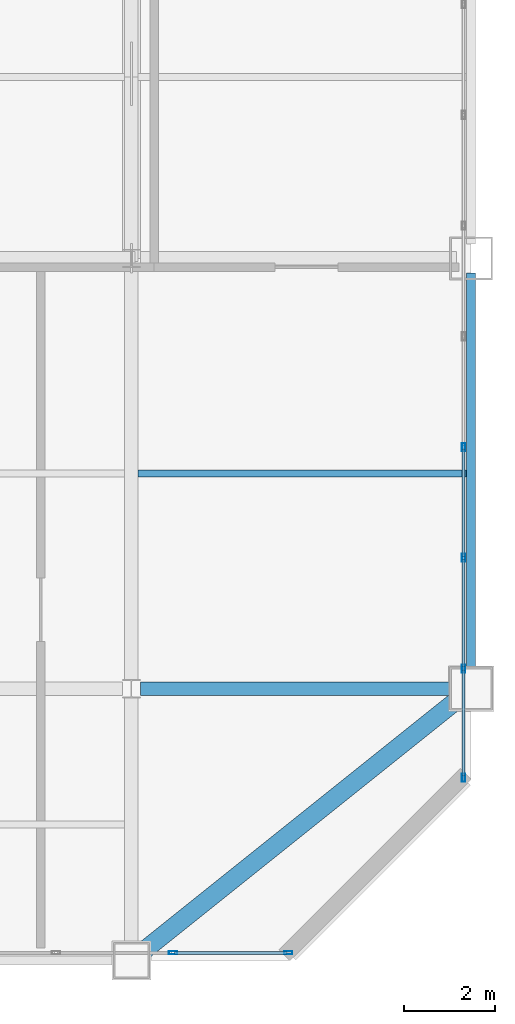
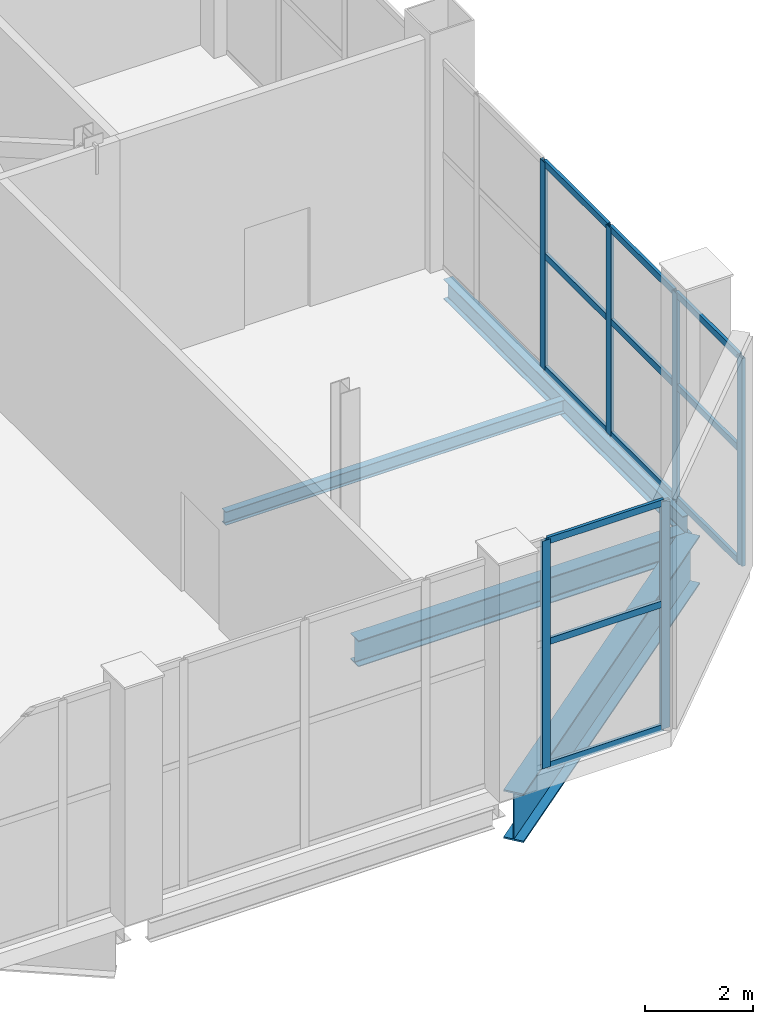
# One storey, part 11 of 23: 18 members, 4 beams, 2 elements without a shape of their own.
"""IFC4 building model written with IfcOpenShell, lengths in metres."""

import ifcopenshell
import ifcopenshell.guid

model = None  # the IFC model being written
_history = None  # IfcOwnerHistory: only IFC2X3 demands one
_inside = {}  # id of a spatial element -> (the spatial element, [elements in it])
_under = {}  # id of a project, library or spatial element -> (it, [spatial elements below it])
_declared = {}  # id of a project -> (the project, [libraries it declares])
_typed = {}  # id of a type object -> (the type object, [elements of that type])
_made_of = {}  # id of a material, layer set ... -> (it, [elements and type objects made of it])


def new_model(schema):
    """Start an empty IFC model of exactly this schema.

    Asked for "IFC4X3", IfcOpenShell would pick the latest addendum, in which some entities
    have other attributes; the version numbers below select the first issue.
    IFC2X3 requires an IfcOwnerHistory on every rooted entity: one is made here for all.
    """
    global model, _history
    if schema == "IFC4X3":
        model = ifcopenshell.file(schema_version=(4, 3, 0, 0))
    else:
        model = ifcopenshell.file(schema=schema)
    _inside.clear()
    _under.clear()
    _declared.clear()
    _typed.clear()
    _made_of.clear()
    _history = None
    if model.schema == "IFC2X3":
        org = make("IfcOrganization", Name="unknown")
        user = make(
            "IfcPersonAndOrganization",
            ThePerson=make("IfcPerson", FamilyName="unknown"),
            TheOrganization=org,
        )
        app = make(
            "IfcApplication",
            ApplicationDeveloper=org,
            Version="unknown",
            ApplicationFullName="unknown",
            ApplicationIdentifier="unknown",
        )
        _history = make(
            "IfcOwnerHistory",
            OwningUser=user,
            OwningApplication=app,
            ChangeAction="ADDED",
            CreationDate=0,
        )
    return model


def make(cls, **values):
    """One entity of the class cls with the attributes given. An attribute that is None is left unset."""
    return model.create_entity(
        cls, **{name: value for name, value in values.items() if value is not None}
    )


def rooted(cls, **values):
    """An entity with a GlobalId (a new one), such as an element, a storey or a relation."""
    return make(cls, GlobalId=ifcopenshell.guid.new(), OwnerHistory=_history, **values)


def si_unit(unit_type, name, prefix=None):
    """IfcSIUnit, for example si_unit("LENGTHUNIT", "METRE", prefix="MILLI")."""
    return make("IfcSIUnit", UnitType=unit_type, Prefix=prefix, Name=name)


def assignment(units):
    """IfcUnitAssignment: the units of a project."""
    return None if units is None else make("IfcUnitAssignment", Units=units)


def point(xyz):
    """IfcCartesianPoint."""
    return None if xyz is None else make("IfcCartesianPoint", Coordinates=xyz)


def direction(xyz):
    """IfcDirection."""
    return None if xyz is None else make("IfcDirection", DirectionRatios=xyz)


def frame(location, z_axis=None, x_axis=None):
    """IfcAxis2Placement3D, a coordinate frame: its origin and axes. An axis left out is left unset."""
    return make(
        "IfcAxis2Placement3D",
        Location=point(location),
        Axis=direction(z_axis),
        RefDirection=direction(x_axis),
    )


def frame_2d(location, x_axis=None):
    """IfcAxis2Placement2D, a coordinate frame in the plane: its origin and x axis."""
    return make(
        "IfcAxis2Placement2D", Location=point(location), RefDirection=direction(x_axis)
    )


def origin():
    """The frame at (0, 0, 0) with its axes left unset."""
    return frame((0.0, 0.0, 0.0))


def origin_2d():
    """The frame at (0, 0) in the plane with its x axis left unset."""
    return frame_2d((0.0, 0.0))


def place(relative_to, where):
    """IfcLocalPlacement: puts the frame where relative to a parent placement (None: the world)."""
    return make(
        "IfcLocalPlacement", PlacementRelTo=relative_to, RelativePlacement=where
    )


def context(
    kind, dimensions, precision=None, world=None, true_north=None, identifier=None
):
    """IfcGeometricRepresentationContext, for example the 3D "Model" context."""
    return make(
        "IfcGeometricRepresentationContext",
        ContextIdentifier=identifier,
        ContextType=kind,
        CoordinateSpaceDimension=dimensions,
        Precision=precision,
        WorldCoordinateSystem=world,
        TrueNorth=true_north,
    )


def subcontext(parent, identifier, kind, view, scale=None):
    """IfcGeometricRepresentationSubContext, for example "Body" below "Model"."""
    return make(
        "IfcGeometricRepresentationSubContext",
        ContextIdentifier=identifier,
        ContextType=kind,
        ParentContext=parent,
        TargetScale=scale,
        TargetView=view,
    )


def project(units=None, contexts=None):
    """IfcProject with its units and contexts."""
    return rooted(
        "IfcProject",
        Name="project",
        RepresentationContexts=contexts,
        UnitsInContext=assignment(units),
    )


def spatial(cls, under=None, at=None, **own):
    """A site, building, storey or space (cls), placed at a placement, below another one or the project."""
    s = rooted(cls, ObjectPlacement=at, **own)
    if under is not None:
        _under.setdefault(under.id(), (under, []))[1].append(s)
    return s


def profile(cls, at=None, kind="AREA", **sizes):
    """A parametric profile (cls). Its sizes go by their IFC names, for example OverallWidth=200.0."""
    return make(cls, ProfileType=kind, Position=at, **sizes)


def hollow_rectangle(**sizes):
    """IfcRectangleHollowProfileDef."""
    return profile("IfcRectangleHollowProfileDef", **sizes)


def i_section(**sizes):
    """IfcIShapeProfileDef."""
    return profile("IfcIShapeProfileDef", **sizes)


def extrude(swept, where, along, depth):
    """IfcExtrudedAreaSolid: the profile swept, set in the frame where, extruded along a direction by depth."""
    return make(
        "IfcExtrudedAreaSolid",
        SweptArea=swept,
        Position=where,
        ExtrudedDirection=direction(along),
        Depth=depth,
    )


def shape(context_of_items, identifier, shape_type, items):
    """IfcShapeRepresentation: the items that make up one representation, for example the "Body"."""
    return make(
        "IfcShapeRepresentation",
        ContextOfItems=context_of_items,
        RepresentationIdentifier=identifier,
        RepresentationType=shape_type,
        Items=items,
    )


def material(Name=None, Category=None):
    """IfcMaterial."""
    return make("IfcMaterial", Name=Name, Category=Category)


def layer(
    of_material, thickness, ventilated=None, Name=None, Category=None, Priority=None
):
    """IfcMaterialLayer: one layer of a wall or slab, of a material (None: an air gap)."""
    return make(
        "IfcMaterialLayer",
        Material=of_material,
        LayerThickness=thickness,
        IsVentilated=ventilated,
        Name=Name,
        Category=Category,
        Priority=Priority,
    )


def layer_set(layers, Name=None):
    """IfcMaterialLayerSet."""
    return make("IfcMaterialLayerSet", MaterialLayers=layers, LayerSetName=Name)


def material_profile(
    of_material, cross_section, Name=None, Category=None, Priority=None
):
    """IfcMaterialProfile: a cross section and its material."""
    return make(
        "IfcMaterialProfile",
        Name=Name,
        Material=of_material,
        Profile=cross_section,
        Priority=Priority,
        Category=Category,
    )


def profile_set(profiles, Name=None, composite=None):
    """IfcMaterialProfileSet."""
    return make(
        "IfcMaterialProfileSet",
        Name=Name,
        MaterialProfiles=profiles,
        CompositeProfile=composite,
    )


def made_of(thing, what):
    """Note that an element or type object is made of a material, layer set ...; save() writes the relation."""
    if what is not None:
        _made_of.setdefault(what.id(), (what, []))[1].append(thing)
    return thing


def type_object(cls, material=None, **own):
    """A type object (cls), such as IfcWallType, which elements share."""
    return made_of(rooted(cls, **own), material)


def element(
    cls,
    number,
    at=None,
    inside=None,
    cuts=None,
    type_object=None,
    material=None,
    context=None,
    identifier="Body",
    shape_type=None,
    held_by="IfcProductDefinitionShape",
    body=None,
    shapes=None,
    **own,
):
    """One element of the class cls, such as IfcWall. Its Tag is "e" and its number.

    at: its placement. inside: the storey or other place that contains it. cuts: it is an
    opening in that element (IfcRelVoidsElement). A single representation is given by context,
    identifier, shape_type and body (its items); several are given by shapes. held_by: the class
    of the entity that holds the representations. save() writes the other relations.
    """
    e = rooted(cls, Tag="e%d" % number, ObjectPlacement=at, **own)
    if body is not None:
        shapes = [shape(context, identifier, shape_type, body)]
    if shapes is not None:
        e.Representation = make(held_by, Representations=shapes)
    if inside is not None:
        _inside.setdefault(inside.id(), (inside, []))[1].append(e)
    if cuts is not None:
        rooted(
            "IfcRelVoidsElement", RelatingBuildingElement=cuts, RelatedOpeningElement=e
        )
    if type_object is not None:
        _typed.setdefault(type_object.id(), (type_object, []))[1].append(e)
    return made_of(e, material)


def aggregate(whole, parts):
    """IfcRelAggregates: a whole, such as a stair, and the parts it consists of."""
    return rooted("IfcRelAggregates", RelatingObject=whole, RelatedObjects=parts)


def save(model, path):
    """Write the relations noted so far, then the file.

    IfcRelAggregates (storeys below a building ...), IfcRelContainedInSpatialStructure (elements
    in a storey), IfcRelDefinesByType, IfcRelAssociatesMaterial and IfcRelDeclares: one each for
    every whole, place, type object, material and project.
    """
    for whole, parts in _under.values():
        aggregate(whole, parts)
    for where, things in _inside.values():
        rooted(
            "IfcRelContainedInSpatialStructure",
            RelatedElements=things,
            RelatingStructure=where,
        )
    for kind, things in _typed.values():
        rooted("IfcRelDefinesByType", RelatedObjects=things, RelatingType=kind)
    for what, things in _made_of.values():
        rooted("IfcRelAssociatesMaterial", RelatedObjects=things, RelatingMaterial=what)
    for by, libraries in _declared.values():
        rooted("IfcRelDeclares", RelatingContext=by, RelatedDefinitions=libraries)
    model.write(path)


model = new_model("IFC4")

# Units and contexts
model_context = context("Model", 3, precision=1e-05, world=origin(), true_north=direction((0.0, 1.0)))
body_context = subcontext(model_context, "Body", "Model", "MODEL_VIEW")
ifc_project = project(units=[si_unit("LENGTHUNIT", "METRE"), si_unit("AREAUNIT", "SQUARE_METRE"), si_unit("VOLUMEUNIT", "CUBIC_METRE"), si_unit("PLANEANGLEUNIT", "RADIAN"), si_unit("MASSUNIT", "GRAM", prefix="KILO")], contexts=[model_context])

# Site, building, storey
site_placement = place(None, origin())
site = spatial("IfcSite", under=ifc_project, at=site_placement, CompositionType="ELEMENT")
building_placement = place(site_placement, origin())
building = spatial("IfcBuilding", under=site, at=building_placement, Name="Qianrong Seaharbour Tower", CompositionType="ELEMENT")
storey_placement = place(building_placement, frame((0.0, 0.0, 281.800048828125)))
storey = spatial("IfcBuildingStorey", under=building, at=storey_placement, Name="L68", CompositionType="ELEMENT", Elevation=281.800048828125)

# Beams
ifc_material_1 = material(Name="Structural steel SN490B", Category="steel")
ifc_material_profile_1 = material_profile(ifc_material_1, i_section(OverallWidth=0.300048828125, OverallDepth=0.587890625, WebThickness=0.011962890625, FlangeThickness=0.02001953125, FilletRadius=0.02392578125, at=origin_2d()), Name="H588x300x12x20")
ifc_profile_set_1 = profile_set([ifc_material_profile_1], Name="Structural steel SN490B")
beam_type_1 = type_object("IfcBeamType", Name="BM-G-588", PredefinedType="BEAM", material=ifc_profile_set_1)
beam_1_placement = place(storey_placement, frame((56.699951171875, 18.5, -0.64404296875), z_axis=(1.0, 0.0, 0.0), x_axis=(0.0, 1.0, 0.0)))
element("IfcBeam", 1, at=beam_1_placement, inside=storey, type_object=beam_type_1, Name="L68 Primary Girder GD G8-G9", PredefinedType="BEAM", context=body_context, shape_type="SweptSolid", body=[
    extrude(i_section(OverallWidth=0.300048828125, OverallDepth=0.587890625, WebThickness=0.011962890625, FlangeThickness=0.02001953125, FilletRadius=0.02392578125, at=origin_2d()), origin(), (0.0, 0.0, 1.0), 6.97998046875),
])
ifc_material_2 = material(Name="Structural steel SN400B", Category="steel")
ifc_material_profile_2 = material_profile(ifc_material_2, i_section(OverallWidth=0.14990234375, OverallDepth=0.300048828125, WebThickness=0.006591796875, FlangeThickness=0.009033203125, FilletRadius=0.012939453125, at=origin_2d()), Name="H300x150x6.5x9")
ifc_profile_set_2 = profile_set([ifc_material_profile_2], Name="Structural steel SN400B")
beam_type_2 = type_object("IfcBeamType", Name="BM-J-300", PredefinedType="JOIST", material=ifc_profile_set_2)
beam_2_placement = place(storey_placement, frame((56.64990234375, 23.25, -0.5), z_axis=(1.0, 0.0, 0.0), x_axis=(0.0, 1.0, 0.0)))
element("IfcBeam", 2, at=beam_2_placement, inside=storey, type_object=beam_type_2, Name="L68 Composite Floor Joist G8-G9/GD-GE", PredefinedType="JOIST", context=body_context, shape_type="SweptSolid", body=[
    extrude(i_section(OverallWidth=0.14990234375, OverallDepth=0.300048828125, WebThickness=0.006591796875, FlangeThickness=0.009033203125, FilletRadius=0.012939453125, at=origin_2d()), origin(), (0.0, 0.0, 1.0), 7.25),
])
ifc_material_profile_3 = material_profile(ifc_material_2, i_section(OverallWidth=0.199951171875, OverallDepth=0.449951171875, WebThickness=0.009033203125, FlangeThickness=0.013916015625, FilletRadius=0.01806640625, at=origin_2d()), Name="H450x200x9x14")
ifc_profile_set_3 = profile_set([ifc_material_profile_3], Name="Structural steel SN400B")
beam_type_3 = type_object("IfcBeamType", Name="BM-SP-450", PredefinedType="SPANDREL", material=ifc_profile_set_3)
beam_3_placement = place(storey_placement, frame((64.0, 18.820068359375, -0.574951171875), z_axis=(0.0, 1.0, 0.0), x_axis=(-1.0, 0.0, 0.0)))
element("IfcBeam", 3, at=beam_3_placement, inside=storey, type_object=beam_type_3, Name="L68 Spandrel Girder G9 GD-GE", PredefinedType="SPANDREL", context=body_context, shape_type="SweptSolid", body=[
    extrude(i_section(OverallWidth=0.199951171875, OverallDepth=0.449951171875, WebThickness=0.009033203125, FlangeThickness=0.013916015625, FilletRadius=0.01806640625, at=origin_2d()), origin(), (0.0, 0.0, 1.0), 8.85986328125),
])
ifc_material_profile_4 = material_profile(ifc_material_1, i_section(OverallWidth=0.39990234375, OverallDepth=1.10009765625, WebThickness=0.02001953125, FlangeThickness=0.035888671875, at=origin_2d()), Name="BH1100x400x20x36")
ifc_profile_set_4 = profile_set([ifc_material_profile_4], Name="Structural steel SN490B")
beam_type_4 = type_object("IfcBeamType", Name="BM-TG-1100", PredefinedType="BEAM", material=ifc_profile_set_4)
beam_4_placement = place(storey_placement, frame((56.75, 12.699951171875, -0.900146484375), z_axis=(0.780863495394, 0.624701690058, 0.0), x_axis=(-0.624701690058, 0.780863495394, 0.0)))
element("IfcBeam", 4, at=beam_4_placement, inside=storey, type_object=beam_type_4, Name="L68 Chamfer Corner Spandrel Girder G9/GC", PredefinedType="BEAM", context=body_context, shape_type="SweptSolid", body=[
    extrude(i_section(OverallWidth=0.39990234375, OverallDepth=1.10009765625, WebThickness=0.02001953125, FlangeThickness=0.035888671875, at=origin_2d()), origin(), (0.0, 0.0, 1.0), 8.96435546875),
])

# Curtain wall, members
ifc_material_3 = material(Name="Anodised aluminium 6063-T6 and laminated low-e glass", Category="aluminium")
ifc_layer = layer(ifc_material_3, 0.18505859375)
ifc_layer_set = layer_set([ifc_layer], Name="Anodised aluminium 6063-T6 and laminated low-e glass")
curtain_wall_type = type_object("IfcCurtainWallType", Name="CW-SYS-4", PredefinedType="NOTDEFINED", material=ifc_layer_set)
curtain_wall_1_placement = place(storey_placement, origin())
curtain_wall_1 = element("IfcCurtainWall", 5, at=curtain_wall_1_placement, inside=storey, type_object=curtain_wall_type, Name="L68 Refuge Acoustic Louvre Curtain Wall EAST_WING", PredefinedType="NOTDEFINED")
ifc_material_4 = material(Name="Extruded aluminium 6063-T6", Category="aluminium")
ifc_material_profile_5 = material_profile(ifc_material_4, hollow_rectangle(XDim=0.070068359375, YDim=0.179931640625, WallThickness=0.00390625, at=origin_2d()), Name="ALU-MUL-180x70x4")
ifc_profile_set_5 = profile_set([ifc_material_profile_5], Name="Extruded aluminium 6063-T6")
member_type_1 = type_object("IfcMemberType", Name="CW-MUL-180", PredefinedType="MULLION", material=ifc_profile_set_5)
member_1_placement = place(storey_placement, frame((63.830078125, 23.831298828125, 0.0), z_axis=(0.0, 0.0, 1.0), x_axis=(1.0, 0.0, 0.0)))
member_1 = element("IfcMember", 6, at=member_1_placement, type_object=member_type_1, Name="CW-4 mullion 6", PredefinedType="MULLION", context=body_context, shape_type="SweptSolid", body=[
    extrude(hollow_rectangle(XDim=0.070068359375, YDim=0.179931640625, WallThickness=0.00390625, at=origin_2d()), origin(), (0.0, 0.0, 1.0), 4.695068359375),
])
member_2_placement = place(storey_placement, frame((63.830078125, 21.387451171875, 0.0), z_axis=(0.0, 0.0, 1.0), x_axis=(1.0, 0.0, 0.0)))
member_2 = element("IfcMember", 7, at=member_2_placement, type_object=member_type_1, Name="CW-4 mullion 7", PredefinedType="MULLION", context=body_context, shape_type="SweptSolid", body=[
    extrude(hollow_rectangle(XDim=0.070068359375, YDim=0.179931640625, WallThickness=0.00390625, at=origin_2d()), origin(), (0.0, 0.0, 1.0), 4.695068359375),
])
member_3_placement = place(storey_placement, frame((63.830078125, 18.94384765625, 0.0), z_axis=(0.0, 0.0, 1.0), x_axis=(1.0, 0.0, 0.0)))
member_3 = element("IfcMember", 8, at=member_3_placement, type_object=member_type_1, Name="CW-4 mullion 8", PredefinedType="MULLION", context=body_context, shape_type="SweptSolid", body=[
    extrude(hollow_rectangle(XDim=0.070068359375, YDim=0.179931640625, WallThickness=0.00390625, at=origin_2d()), origin(), (0.0, 0.0, 1.0), 4.695068359375),
])
member_4_placement = place(storey_placement, frame((63.830078125, 16.534912109375, 0.0), z_axis=(0.0, 0.0, 1.0), x_axis=(1.0, 0.0, 0.0)))
member_4 = element("IfcMember", 9, at=member_4_placement, type_object=member_type_1, Name="CW-4 mullion 9", PredefinedType="MULLION", context=body_context, shape_type="SweptSolid", body=[
    extrude(hollow_rectangle(XDim=0.070068359375, YDim=0.179931640625, WallThickness=0.00390625, at=origin_2d()), origin(), (0.0, 0.0, 1.0), 4.695068359375),
])

curtain_wall_2_placement = place(storey_placement, origin())
curtain_wall_2 = element("IfcCurtainWall", 10, at=curtain_wall_2_placement, inside=storey, type_object=curtain_wall_type, Name="L68 Refuge Acoustic Louvre Curtain Wall SOUTH_TIP", PredefinedType="NOTDEFINED")
member_5_placement = place(storey_placement, frame((59.965087890625, 12.669921875, 0.0), z_axis=(0.0, 0.0, 1.0), x_axis=(0.0, -1.0, 0.0)))
member_5 = element("IfcMember", 11, at=member_5_placement, type_object=member_type_1, Name="CW-4 mullion 1", PredefinedType="MULLION", context=body_context, shape_type="SweptSolid", body=[
    extrude(hollow_rectangle(XDim=0.070068359375, YDim=0.179931640625, WallThickness=0.00390625, at=origin_2d()), origin(), (0.0, 0.0, 1.0), 5.14501953125),
])
member_6_placement = place(storey_placement, frame((57.416748046875, 12.669921875, 0.0), z_axis=(0.0, 0.0, 1.0), x_axis=(0.0, -1.0, 0.0)))
member_6 = element("IfcMember", 12, at=member_6_placement, type_object=member_type_1, Name="CW-4 mullion 2", PredefinedType="MULLION", context=body_context, shape_type="SweptSolid", body=[
    extrude(hollow_rectangle(XDim=0.070068359375, YDim=0.179931640625, WallThickness=0.00390625, at=origin_2d()), origin(), (0.0, 0.0, 1.0), 5.14501953125),
])

# Member
ifc_material_profile_6 = material_profile(ifc_material_4, hollow_rectangle(XDim=0.06494140625, YDim=0.14990234375, WallThickness=0.00390625, at=origin_2d()), Name="ALU-TRN-150x65x4")
ifc_profile_set_6 = profile_set([ifc_material_profile_6], Name="Extruded aluminium 6063-T6")
member_type_2 = type_object("IfcMemberType", Name="CW-TRN-150", PredefinedType="USERDEFINED", material=ifc_profile_set_6)
member_7_placement = place(storey_placement, frame((63.830078125, 23.796142578125, 0.032470703125), z_axis=(0.0, -1.0, 0.0), x_axis=(1.0, 0.0, 0.0)))
member_7 = element("IfcMember", 13, at=member_7_placement, type_object=member_type_2, Name="CW-4 transom 6.1", ObjectType="TRANSOM", PredefinedType="USERDEFINED", context=body_context, shape_type="SweptSolid", body=[
    extrude(hollow_rectangle(XDim=0.06494140625, YDim=0.14990234375, WallThickness=0.00390625, at=origin_2d()), origin(), (0.0, 0.0, 1.0), 2.37353515625),
])

member_8_placement = place(storey_placement, frame((63.830078125, 23.796142578125, 2.58203125), z_axis=(0.0, -1.0, 0.0), x_axis=(1.0, 0.0, 0.0)))
member_8 = element("IfcMember", 14, at=member_8_placement, type_object=member_type_2, Name="CW-4 transom 6.2", ObjectType="TRANSOM", PredefinedType="USERDEFINED", context=body_context, shape_type="SweptSolid", body=[
    extrude(hollow_rectangle(XDim=0.06494140625, YDim=0.14990234375, WallThickness=0.00390625, at=origin_2d()), origin(), (0.0, 0.0, 1.0), 2.37353515625),
])

member_9_placement = place(storey_placement, frame((63.830078125, 23.796142578125, 4.662353515625), z_axis=(0.0, -1.0, 0.0), x_axis=(1.0, 0.0, 0.0)))
member_9 = element("IfcMember", 15, at=member_9_placement, type_object=member_type_2, Name="CW-4 transom 6.3", ObjectType="TRANSOM", PredefinedType="USERDEFINED", context=body_context, shape_type="SweptSolid", body=[
    extrude(hollow_rectangle(XDim=0.06494140625, YDim=0.14990234375, WallThickness=0.00390625, at=origin_2d()), origin(), (0.0, 0.0, 1.0), 2.37353515625),
])

member_10_placement = place(storey_placement, frame((63.830078125, 21.3525390625, 0.032470703125), z_axis=(0.0, -1.0, 0.0), x_axis=(1.0, 0.0, 0.0)))
member_10 = element("IfcMember", 16, at=member_10_placement, type_object=member_type_2, Name="CW-4 transom 7.1", ObjectType="TRANSOM", PredefinedType="USERDEFINED", context=body_context, shape_type="SweptSolid", body=[
    extrude(hollow_rectangle(XDim=0.06494140625, YDim=0.14990234375, WallThickness=0.00390625, at=origin_2d()), origin(), (0.0, 0.0, 1.0), 2.373779296875),
])

member_11_placement = place(storey_placement, frame((63.830078125, 21.3525390625, 2.58203125), z_axis=(0.0, -1.0, 0.0), x_axis=(1.0, 0.0, 0.0)))
member_11 = element("IfcMember", 17, at=member_11_placement, type_object=member_type_2, Name="CW-4 transom 7.2", ObjectType="TRANSOM", PredefinedType="USERDEFINED", context=body_context, shape_type="SweptSolid", body=[
    extrude(hollow_rectangle(XDim=0.06494140625, YDim=0.14990234375, WallThickness=0.00390625, at=origin_2d()), origin(), (0.0, 0.0, 1.0), 2.373779296875),
])

member_12_placement = place(storey_placement, frame((63.830078125, 21.3525390625, 4.662353515625), z_axis=(0.0, -1.0, 0.0), x_axis=(1.0, 0.0, 0.0)))
member_12 = element("IfcMember", 18, at=member_12_placement, type_object=member_type_2, Name="CW-4 transom 7.3", ObjectType="TRANSOM", PredefinedType="USERDEFINED", context=body_context, shape_type="SweptSolid", body=[
    extrude(hollow_rectangle(XDim=0.06494140625, YDim=0.14990234375, WallThickness=0.00390625, at=origin_2d()), origin(), (0.0, 0.0, 1.0), 2.373779296875),
])

member_13_placement = place(storey_placement, frame((63.830078125, 18.90869140625, 0.032470703125), z_axis=(0.0, -1.0, 0.0), x_axis=(1.0, 0.0, 0.0)))
member_13 = element("IfcMember", 19, at=member_13_placement, type_object=member_type_2, Name="CW-4 transom 8.1", ObjectType="TRANSOM", PredefinedType="USERDEFINED", context=body_context, shape_type="SweptSolid", body=[
    extrude(hollow_rectangle(XDim=0.06494140625, YDim=0.14990234375, WallThickness=0.00390625, at=origin_2d()), origin(), (0.0, 0.0, 1.0), 2.338623046875),
])

member_14_placement = place(storey_placement, frame((63.830078125, 18.90869140625, 2.58203125), z_axis=(0.0, -1.0, 0.0), x_axis=(1.0, 0.0, 0.0)))
member_14 = element("IfcMember", 20, at=member_14_placement, type_object=member_type_2, Name="CW-4 transom 8.2", ObjectType="TRANSOM", PredefinedType="USERDEFINED", context=body_context, shape_type="SweptSolid", body=[
    extrude(hollow_rectangle(XDim=0.06494140625, YDim=0.14990234375, WallThickness=0.00390625, at=origin_2d()), origin(), (0.0, 0.0, 1.0), 2.338623046875),
])

member_15_placement = place(storey_placement, frame((63.830078125, 18.90869140625, 4.662353515625), z_axis=(0.0, -1.0, 0.0), x_axis=(1.0, 0.0, 0.0)))
member_15 = element("IfcMember", 21, at=member_15_placement, type_object=member_type_2, Name="CW-4 transom 8.3", ObjectType="TRANSOM", PredefinedType="USERDEFINED", context=body_context, shape_type="SweptSolid", body=[
    extrude(hollow_rectangle(XDim=0.06494140625, YDim=0.14990234375, WallThickness=0.00390625, at=origin_2d()), origin(), (0.0, 0.0, 1.0), 2.338623046875),
])

aggregate(curtain_wall_1, [member_1, member_2, member_3, member_4, member_7, member_8, member_9, member_10, member_11, member_12, member_13, member_14, member_15])

member_16_placement = place(storey_placement, frame((59.929931640625, 12.669921875, 0.032470703125), z_axis=(-1.0, 0.0, 0.0), x_axis=(0.0, -1.0, 0.0)))
member_16 = element("IfcMember", 22, at=member_16_placement, type_object=member_type_2, Name="CW-4 transom 1.1", ObjectType="TRANSOM", PredefinedType="USERDEFINED", context=body_context, shape_type="SweptSolid", body=[
    extrude(hollow_rectangle(XDim=0.06494140625, YDim=0.14990234375, WallThickness=0.00390625, at=origin_2d()), origin(), (0.0, 0.0, 1.0), 2.478271484375),
])

member_17_placement = place(storey_placement, frame((59.929931640625, 12.669921875, 2.829833984375), z_axis=(-1.0, 0.0, 0.0), x_axis=(0.0, -1.0, 0.0)))
member_17 = element("IfcMember", 23, at=member_17_placement, type_object=member_type_2, Name="CW-4 transom 1.2", ObjectType="TRANSOM", PredefinedType="USERDEFINED", context=body_context, shape_type="SweptSolid", body=[
    extrude(hollow_rectangle(XDim=0.06494140625, YDim=0.14990234375, WallThickness=0.00390625, at=origin_2d()), origin(), (0.0, 0.0, 1.0), 2.478271484375),
])

member_18_placement = place(storey_placement, frame((59.929931640625, 12.669921875, 5.112548828125), z_axis=(-1.0, 0.0, 0.0), x_axis=(0.0, -1.0, 0.0)))
member_18 = element("IfcMember", 24, at=member_18_placement, type_object=member_type_2, Name="CW-4 transom 1.3", ObjectType="TRANSOM", PredefinedType="USERDEFINED", context=body_context, shape_type="SweptSolid", body=[
    extrude(hollow_rectangle(XDim=0.06494140625, YDim=0.14990234375, WallThickness=0.00390625, at=origin_2d()), origin(), (0.0, 0.0, 1.0), 2.478271484375),
])

aggregate(curtain_wall_2, [member_5, member_6, member_16, member_17, member_18])

save(model, "model.ifc")
